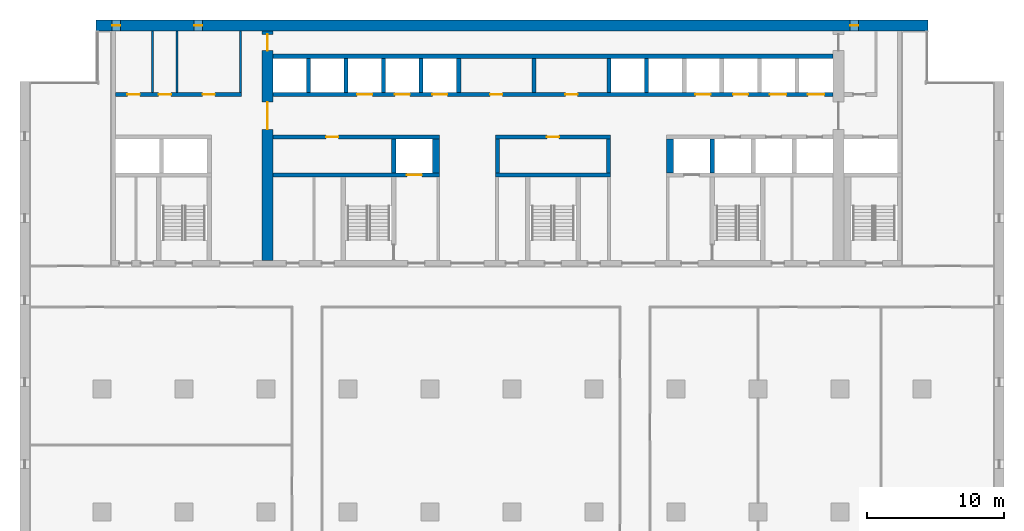
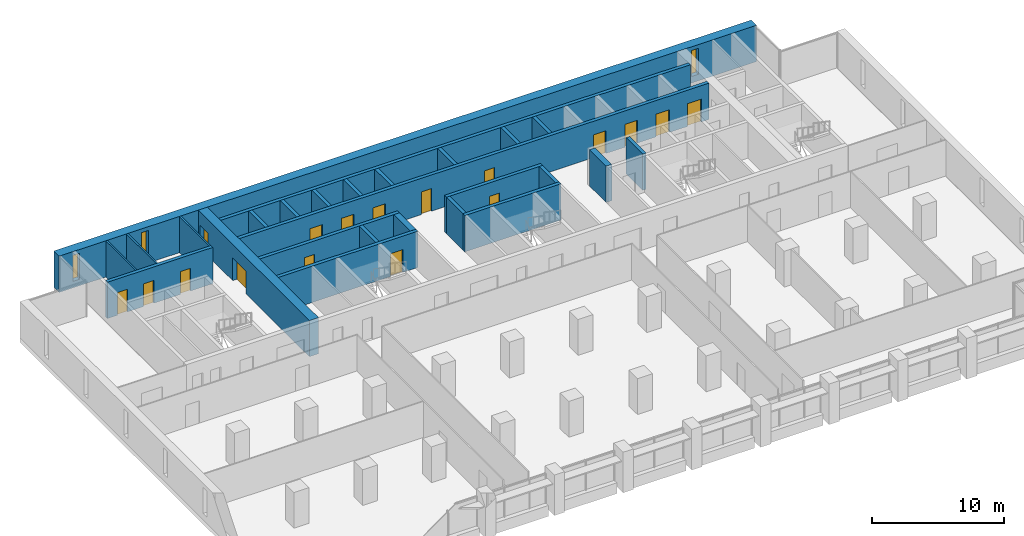
# One storey, part 10 of 15: 26 walls, 17 doors, 3 windows, 20 openings.
"""IFC4 building model written with IfcOpenShell, lengths in metres."""

import ifcopenshell
import ifcopenshell.guid

model = None  # the IFC model being written
_history = None  # IfcOwnerHistory: only IFC2X3 demands one
_inside = {}  # id of a spatial element -> (the spatial element, [elements in it])
_under = {}  # id of a project, library or spatial element -> (it, [spatial elements below it])
_declared = {}  # id of a project -> (the project, [libraries it declares])
_typed = {}  # id of a type object -> (the type object, [elements of that type])
_made_of = {}  # id of a material, layer set ... -> (it, [elements and type objects made of it])


def new_model(schema):
    """Start an empty IFC model of exactly this schema.

    Asked for "IFC4X3", IfcOpenShell would pick the latest addendum, in which some entities
    have other attributes; the version numbers below select the first issue.
    IFC2X3 requires an IfcOwnerHistory on every rooted entity: one is made here for all.
    """
    global model, _history
    if schema == "IFC4X3":
        model = ifcopenshell.file(schema_version=(4, 3, 0, 0))
    else:
        model = ifcopenshell.file(schema=schema)
    _inside.clear()
    _under.clear()
    _declared.clear()
    _typed.clear()
    _made_of.clear()
    _history = None
    if model.schema == "IFC2X3":
        org = make("IfcOrganization", Name="unknown")
        user = make(
            "IfcPersonAndOrganization",
            ThePerson=make("IfcPerson", FamilyName="unknown"),
            TheOrganization=org,
        )
        app = make(
            "IfcApplication",
            ApplicationDeveloper=org,
            Version="unknown",
            ApplicationFullName="unknown",
            ApplicationIdentifier="unknown",
        )
        _history = make(
            "IfcOwnerHistory",
            OwningUser=user,
            OwningApplication=app,
            ChangeAction="ADDED",
            CreationDate=0,
        )
    return model


def make(cls, **values):
    """One entity of the class cls with the attributes given. An attribute that is None is left unset."""
    return model.create_entity(
        cls, **{name: value for name, value in values.items() if value is not None}
    )


def rooted(cls, **values):
    """An entity with a GlobalId (a new one), such as an element, a storey or a relation."""
    return make(cls, GlobalId=ifcopenshell.guid.new(), OwnerHistory=_history, **values)


def si_unit(unit_type, name, prefix=None):
    """IfcSIUnit, for example si_unit("LENGTHUNIT", "METRE", prefix="MILLI")."""
    return make("IfcSIUnit", UnitType=unit_type, Prefix=prefix, Name=name)


def assignment(units):
    """IfcUnitAssignment: the units of a project."""
    return None if units is None else make("IfcUnitAssignment", Units=units)


def point(xyz):
    """IfcCartesianPoint."""
    return None if xyz is None else make("IfcCartesianPoint", Coordinates=xyz)


def direction(xyz):
    """IfcDirection."""
    return None if xyz is None else make("IfcDirection", DirectionRatios=xyz)


def frame(location, z_axis=None, x_axis=None):
    """IfcAxis2Placement3D, a coordinate frame: its origin and axes. An axis left out is left unset."""
    return make(
        "IfcAxis2Placement3D",
        Location=point(location),
        Axis=direction(z_axis),
        RefDirection=direction(x_axis),
    )


def frame_2d(location, x_axis=None):
    """IfcAxis2Placement2D, a coordinate frame in the plane: its origin and x axis."""
    return make(
        "IfcAxis2Placement2D", Location=point(location), RefDirection=direction(x_axis)
    )


def origin():
    """The frame at (0, 0, 0) with its axes left unset."""
    return frame((0.0, 0.0, 0.0))


def place(relative_to, where):
    """IfcLocalPlacement: puts the frame where relative to a parent placement (None: the world)."""
    return make(
        "IfcLocalPlacement", PlacementRelTo=relative_to, RelativePlacement=where
    )


def context(
    kind, dimensions, precision=None, world=None, true_north=None, identifier=None
):
    """IfcGeometricRepresentationContext, for example the 3D "Model" context."""
    return make(
        "IfcGeometricRepresentationContext",
        ContextIdentifier=identifier,
        ContextType=kind,
        CoordinateSpaceDimension=dimensions,
        Precision=precision,
        WorldCoordinateSystem=world,
        TrueNorth=true_north,
    )


def subcontext(parent, identifier, kind, view, scale=None):
    """IfcGeometricRepresentationSubContext, for example "Body" below "Model"."""
    return make(
        "IfcGeometricRepresentationSubContext",
        ContextIdentifier=identifier,
        ContextType=kind,
        ParentContext=parent,
        TargetScale=scale,
        TargetView=view,
    )


def project(units=None, contexts=None):
    """IfcProject with its units and contexts."""
    return rooted(
        "IfcProject",
        Name="project",
        RepresentationContexts=contexts,
        UnitsInContext=assignment(units),
    )


def spatial(cls, under=None, at=None, **own):
    """A site, building, storey or space (cls), placed at a placement, below another one or the project."""
    s = rooted(cls, ObjectPlacement=at, **own)
    if under is not None:
        _under.setdefault(under.id(), (under, []))[1].append(s)
    return s


def profile(cls, at=None, kind="AREA", **sizes):
    """A parametric profile (cls). Its sizes go by their IFC names, for example OverallWidth=200.0."""
    return make(cls, ProfileType=kind, Position=at, **sizes)


def rectangle(**sizes):
    """IfcRectangleProfileDef."""
    return profile("IfcRectangleProfileDef", **sizes)


def extrude(swept, where, along, depth):
    """IfcExtrudedAreaSolid: the profile swept, set in the frame where, extruded along a direction by depth."""
    return make(
        "IfcExtrudedAreaSolid",
        SweptArea=swept,
        Position=where,
        ExtrudedDirection=direction(along),
        Depth=depth,
    )


def shape(context_of_items, identifier, shape_type, items):
    """IfcShapeRepresentation: the items that make up one representation, for example the "Body"."""
    return make(
        "IfcShapeRepresentation",
        ContextOfItems=context_of_items,
        RepresentationIdentifier=identifier,
        RepresentationType=shape_type,
        Items=items,
    )


def material(Name=None, Category=None):
    """IfcMaterial."""
    return make("IfcMaterial", Name=Name, Category=Category)


def layer(
    of_material, thickness, ventilated=None, Name=None, Category=None, Priority=None
):
    """IfcMaterialLayer: one layer of a wall or slab, of a material (None: an air gap)."""
    return make(
        "IfcMaterialLayer",
        Material=of_material,
        LayerThickness=thickness,
        IsVentilated=ventilated,
        Name=Name,
        Category=Category,
        Priority=Priority,
    )


def layer_set(layers, Name=None):
    """IfcMaterialLayerSet."""
    return make("IfcMaterialLayerSet", MaterialLayers=layers, LayerSetName=Name)


def made_of(thing, what):
    """Note that an element or type object is made of a material, layer set ...; save() writes the relation."""
    if what is not None:
        _made_of.setdefault(what.id(), (what, []))[1].append(thing)
    return thing


def type_object(cls, material=None, **own):
    """A type object (cls), such as IfcWallType, which elements share."""
    return made_of(rooted(cls, **own), material)


def element(
    cls,
    number,
    at=None,
    inside=None,
    cuts=None,
    type_object=None,
    material=None,
    context=None,
    identifier="Body",
    shape_type=None,
    held_by="IfcProductDefinitionShape",
    body=None,
    shapes=None,
    **own,
):
    """One element of the class cls, such as IfcWall. Its Tag is "e" and its number.

    at: its placement. inside: the storey or other place that contains it. cuts: it is an
    opening in that element (IfcRelVoidsElement). A single representation is given by context,
    identifier, shape_type and body (its items); several are given by shapes. held_by: the class
    of the entity that holds the representations. save() writes the other relations.
    """
    e = rooted(cls, Tag="e%d" % number, ObjectPlacement=at, **own)
    if body is not None:
        shapes = [shape(context, identifier, shape_type, body)]
    if shapes is not None:
        e.Representation = make(held_by, Representations=shapes)
    if inside is not None:
        _inside.setdefault(inside.id(), (inside, []))[1].append(e)
    if cuts is not None:
        rooted(
            "IfcRelVoidsElement", RelatingBuildingElement=cuts, RelatedOpeningElement=e
        )
    if type_object is not None:
        _typed.setdefault(type_object.id(), (type_object, []))[1].append(e)
    return made_of(e, material)


def fill(opening, filler):
    """IfcRelFillsElement: the door or window that sits in an opening."""
    return rooted(
        "IfcRelFillsElement",
        RelatingOpeningElement=opening,
        RelatedBuildingElement=filler,
    )


def aggregate(whole, parts):
    """IfcRelAggregates: a whole, such as a stair, and the parts it consists of."""
    return rooted("IfcRelAggregates", RelatingObject=whole, RelatedObjects=parts)


def save(model, path):
    """Write the relations noted so far, then the file.

    IfcRelAggregates (storeys below a building ...), IfcRelContainedInSpatialStructure (elements
    in a storey), IfcRelDefinesByType, IfcRelAssociatesMaterial and IfcRelDeclares: one each for
    every whole, place, type object, material and project.
    """
    for whole, parts in _under.values():
        aggregate(whole, parts)
    for where, things in _inside.values():
        rooted(
            "IfcRelContainedInSpatialStructure",
            RelatedElements=things,
            RelatingStructure=where,
        )
    for kind, things in _typed.values():
        rooted("IfcRelDefinesByType", RelatedObjects=things, RelatingType=kind)
    for what, things in _made_of.values():
        rooted("IfcRelAssociatesMaterial", RelatedObjects=things, RelatingMaterial=what)
    for by, libraries in _declared.values():
        rooted("IfcRelDeclares", RelatingContext=by, RelatedDefinitions=libraries)
    model.write(path)


model = new_model("IFC4")

# Units and contexts
model_context = context("Model", 3, precision=1e-05, world=origin(), true_north=direction((0.0, 1.0)))
body_context = subcontext(model_context, "Body", "Model", "MODEL_VIEW")
ifc_project = project(units=[si_unit("LENGTHUNIT", "METRE"), si_unit("AREAUNIT", "SQUARE_METRE"), si_unit("VOLUMEUNIT", "CUBIC_METRE"), si_unit("PLANEANGLEUNIT", "RADIAN"), si_unit("MASSUNIT", "GRAM", prefix="KILO")], contexts=[model_context])

# Site, building, storey
site_placement = place(None, origin())
site = spatial("IfcSite", under=ifc_project, at=site_placement, CompositionType="ELEMENT")
building_placement = place(site_placement, origin())
building = spatial("IfcBuilding", under=site, at=building_placement, Name="Calvaro Tower", CompositionType="ELEMENT")
storey_placement = place(building_placement, frame((0.0, 0.0, 132.5)))
storey = spatial("IfcBuildingStorey", under=building, at=storey_placement, Name="L33", CompositionType="ELEMENT", Elevation=132.5)

# Walls
ifc_material_1 = material(Name="Blockwork partition", Category="masonry")
ifc_layer_1 = layer(ifc_material_1, 0.14990234375)
ifc_layer_set_1 = layer_set([ifc_layer_1], Name="Blockwork partition")
wall_type_1 = type_object("IfcWallType", Name="Core partition 150 EI 60", PredefinedType="PARTITIONING", material=ifc_layer_set_1)
for number, where, z_axis, x_axis, name in (
    (1, (9.699951171875, 40.699951171875, 0.0), (0.0, 0.0, 1.0), (0.0, 1.0, 0.0), "Core partition"),
    (2, (11.5, 40.699951171875, 0.0), (0.0, 0.0, 1.0), (0.0, 1.0, 0.0), "Core partition"),
):
    element("IfcWall", number, at=place(storey_placement, frame(where, z_axis=z_axis, x_axis=x_axis)), inside=storey, type_object=wall_type_1, Name=name, PredefinedType="PARTITIONING", context=body_context, shape_type="SweptSolid", body=[
        extrude(rectangle(XDim=4.5, YDim=0.14990234375, at=frame_2d((2.25, 0.0))), origin(), (0.0, 0.0, 1.0), 3.35009765625),
    ])
ifc_material_2 = material(Name="Blockwork partition", Category="masonry")
ifc_layer_2 = layer(ifc_material_2, 0.14990234375)
ifc_layer_set_2 = layer_set([ifc_layer_2], Name="Blockwork partition")
wall_type_2 = type_object("IfcWallType", Name="Core partition 150 REI 120", PredefinedType="PARTITIONING", material=ifc_layer_set_2)
wall_1_placement = place(storey_placement, frame((16.125, 40.699951171875, 0.0), z_axis=(0.0, 0.0, 1.0), x_axis=(0.0, 1.0, 0.0)))
element("IfcWall", 3, at=wall_1_placement, inside=storey, type_object=wall_type_2, Name="Core partition", PredefinedType="PARTITIONING", context=body_context, shape_type="SweptSolid", body=[
    extrude(rectangle(XDim=4.5, YDim=0.14990234375, at=frame_2d((2.25, 0.0))), origin(), (0.0, 0.0, 1.0), 3.35009765625),
])

# Wall, openings, doors
ifc_material_3 = material(Name="Blockwork partition", Category="masonry")
ifc_layer_3 = layer(ifc_material_3, 0.300048828125)
ifc_layer_set_3 = layer_set([ifc_layer_3], Name="Blockwork partition")
wall_type_3 = type_object("IfcWallType", Name="Core partition 300 REI 120", PredefinedType="PARTITIONING", material=ifc_layer_set_3)
wall_2_placement = place(storey_placement, frame((7.0, 40.550048828125, 0.0), z_axis=(0.0, 0.0, 1.0), x_axis=(1.0, 0.0, 0.0)))
wall_2 = element("IfcWall", 4, at=wall_2_placement, inside=storey, type_object=wall_type_3, Name="Core partition", PredefinedType="PARTITIONING", context=body_context, shape_type="SweptSolid", body=[
    extrude(rectangle(XDim=9.199951171875, YDim=0.300048828125, at=frame_2d((4.60009765625, 0.0))), origin(), (0.0, 0.0, 1.0), 3.35009765625),
])
opening_1_placement = place(wall_2_placement, frame((0.862548828125, 0.0, 0.0)))
opening_1 = element("IfcOpeningElement", 5, at=opening_1_placement, cuts=wall_2, Name="Opening RD9", PredefinedType="OPENING", context=body_context, shape_type="SweptSolid", body=[
    extrude(rectangle(XDim=0.89990234375, YDim=2.10009765625, at=frame_2d((0.449951171875, 1.050048828125))), frame((0.0, 0.159912109375, 0.0), z_axis=(0.0, -1.0, 0.0), x_axis=(1.0, 0.0, 0.0)), (0.0, 0.0, 1.0), 0.320068359375),
])
opening_2_placement = place(wall_2_placement, frame((3.14990234375, 0.0, 0.0)))
opening_2 = element("IfcOpeningElement", 6, at=opening_2_placement, cuts=wall_2, Name="Opening RD9", PredefinedType="OPENING", context=body_context, shape_type="SweptSolid", body=[
    extrude(rectangle(XDim=0.89990234375, YDim=2.10009765625, at=frame_2d((0.449951171875, 1.050048828125))), frame((0.0, 0.159912109375, 0.0), z_axis=(0.0, -1.0, 0.0), x_axis=(1.0, 0.0, 0.0)), (0.0, 0.0, 1.0), 0.320068359375),
])
opening_3_placement = place(wall_2_placement, frame((6.362548828125, 0.0, 0.0)))
opening_3 = element("IfcOpeningElement", 7, at=opening_3_placement, cuts=wall_2, Name="Opening RD9", PredefinedType="OPENING", context=body_context, shape_type="SweptSolid", body=[
    extrude(rectangle(XDim=0.89990234375, YDim=2.10009765625, at=frame_2d((0.449951171875, 1.050048828125))), frame((0.0, 0.159912109375, 0.0), z_axis=(0.0, -1.0, 0.0), x_axis=(1.0, 0.0, 0.0)), (0.0, 0.0, 1.0), 0.320068359375),
])
ifc_material_4 = material(Name="Steel door set", Category="steel")
door_type_1 = type_object("IfcDoorType", Name="Room door 900", OperationType="SINGLE_SWING_LEFT", PredefinedType="DOOR", material=ifc_material_4)
door_1_placement = place(opening_1_placement, origin())
door_1 = element("IfcDoor", 8, at=door_1_placement, inside=storey, type_object=door_type_1, Name="Room door", OperationType="SINGLE_SWING_LEFT", OverallHeight=2.10009765625, OverallWidth=0.89990234375, PredefinedType="DOOR", context=body_context, shape_type="SweptSolid", body=[
    extrude(rectangle(XDim=0.89990234375, YDim=2.10009765625, at=frame_2d((0.449951171875, 1.050048828125))), frame((0.0, 0.02490234375, 0.0), z_axis=(0.0, -1.0, 0.0), x_axis=(1.0, 0.0, 0.0)), (0.0, 0.0, 1.0), 0.050048828125),
])
fill(opening_1, door_1)
door_2_placement = place(opening_2_placement, origin())
door_2 = element("IfcDoor", 9, at=door_2_placement, inside=storey, type_object=door_type_1, Name="Room door", OperationType="SINGLE_SWING_LEFT", OverallHeight=2.10009765625, OverallWidth=0.89990234375, PredefinedType="DOOR", context=body_context, shape_type="SweptSolid", body=[
    extrude(rectangle(XDim=0.89990234375, YDim=2.10009765625, at=frame_2d((0.449951171875, 1.050048828125))), frame((0.0, 0.02490234375, 0.0), z_axis=(0.0, -1.0, 0.0), x_axis=(1.0, 0.0, 0.0)), (0.0, 0.0, 1.0), 0.050048828125),
])
fill(opening_2, door_2)
door_3_placement = place(opening_3_placement, origin())
door_3 = element("IfcDoor", 10, at=door_3_placement, inside=storey, type_object=door_type_1, Name="Room door", OperationType="SINGLE_SWING_LEFT", OverallHeight=2.10009765625, OverallWidth=0.89990234375, PredefinedType="DOOR", context=body_context, shape_type="SweptSolid", body=[
    extrude(rectangle(XDim=0.89990234375, YDim=2.10009765625, at=frame_2d((0.449951171875, 1.050048828125))), frame((0.0, 0.02490234375, 0.0), z_axis=(0.0, -1.0, 0.0), x_axis=(1.0, 0.0, 0.0)), (0.0, 0.0, 1.0), 0.050048828125),
])
fill(opening_3, door_3)

# Wall
wall_3_placement = place(storey_placement, frame((37.60009765625, 40.699951171875, 0.0), z_axis=(0.0, 0.0, 1.0), x_axis=(0.0, 1.0, 0.0)))
element("IfcWall", 11, at=wall_3_placement, inside=storey, type_object=wall_type_3, Name="Core partition", PredefinedType="PARTITIONING", context=body_context, shape_type="SweptSolid", body=[
    extrude(rectangle(XDim=2.5, YDim=0.300048828125, at=frame_2d((1.25, 0.0))), origin(), (0.0, 0.0, 1.0), 3.35009765625),
])

# Wall, opening, door
ifc_material_5 = material(Name="Concrete C60/75", Category="concrete")
ifc_layer_4 = layer(ifc_material_5, 0.300048828125)
ifc_layer_set_4 = layer_set([ifc_layer_4], Name="Concrete C60/75")
wall_type_4 = type_object("IfcWallType", Name="Core wall C60/75 300", PredefinedType="SHEAR", material=ifc_layer_set_4)
wall_4_placement = place(storey_placement, frame((18.5, 34.64990234375, 0.0), z_axis=(0.0, 0.0, 1.0), x_axis=(1.0, 0.0, 0.0)))
wall_4 = element("IfcWall", 12, at=wall_4_placement, inside=storey, type_object=wall_type_4, Name="Core wall, lift shaft", PredefinedType="SHEAR", context=body_context, shape_type="SweptSolid", body=[
    extrude(rectangle(XDim=12.199951171875, YDim=0.300048828125, at=frame_2d((6.10009765625, 0.0))), origin(), (0.0, 0.0, 1.0), 3.35009765625),
])
opening_4_placement = place(wall_4_placement, frame((9.800048828125, 0.0, 0.0)))
opening_4 = element("IfcOpeningElement", 13, at=opening_4_placement, cuts=wall_4, Name="Opening FF1", PredefinedType="OPENING", context=body_context, shape_type="SweptSolid", body=[
    extrude(rectangle(XDim=1.10009765625, YDim=2.10009765625, at=frame_2d((0.550048828125, 1.050048828125))), frame((0.0, 0.159912109375, 0.0), z_axis=(0.0, -1.0, 0.0), x_axis=(1.0, 0.0, 0.0)), (0.0, 0.0, 1.0), 0.320068359375),
])
ifc_material_6 = material(Name="Stainless steel", Category="steel")
door_type_2 = type_object("IfcDoorType", Name="Landing door 1100 E 60", OperationType="SLIDING_TO_LEFT", PredefinedType="DOOR", material=ifc_material_6)
door_4_placement = place(opening_4_placement, origin())
door_4 = element("IfcDoor", 14, at=door_4_placement, inside=storey, type_object=door_type_2, Name="Landing door FF1", OperationType="SLIDING_TO_LEFT", OverallHeight=2.10009765625, OverallWidth=1.10009765625, PredefinedType="DOOR", context=body_context, shape_type="SweptSolid", body=[
    extrude(rectangle(XDim=1.10009765625, YDim=2.10009765625, at=frame_2d((0.550048828125, 1.050048828125))), frame((0.0, 0.02490234375, 0.0), z_axis=(0.0, -1.0, 0.0), x_axis=(1.0, 0.0, 0.0)), (0.0, 0.0, 1.0), 0.050048828125),
])
fill(opening_4, door_4)

# Wall
wall_5_placement = place(storey_placement, frame((34.800048828125, 34.64990234375, 0.0), z_axis=(0.0, 0.0, 1.0), x_axis=(1.0, 0.0, 0.0)))
element("IfcWall", 15, at=wall_5_placement, inside=storey, type_object=wall_type_4, Name="Core wall, lift shaft", PredefinedType="SHEAR", context=body_context, shape_type="SweptSolid", body=[
    extrude(rectangle(XDim=8.39990234375, YDim=0.300048828125, at=frame_2d((4.199951171875, 0.0))), origin(), (0.0, 0.0, 1.0), 3.35009765625),
])

# Wall, opening, door
wall_6_placement = place(storey_placement, frame((30.699951171875, 37.449951171875, 0.0), z_axis=(0.0, 0.0, 1.0), x_axis=(-1.0, 0.0, 0.0)))
wall_6 = element("IfcWall", 16, at=wall_6_placement, inside=storey, type_object=wall_type_4, Name="Core wall, bay", PredefinedType="SHEAR", context=body_context, shape_type="SweptSolid", body=[
    extrude(rectangle(XDim=12.199951171875, YDim=0.300048828125, at=frame_2d((6.10009765625, 0.0))), origin(), (0.0, 0.0, 1.0), 3.35009765625),
])
opening_5_placement = place(wall_6_placement, frame((7.39990234375, 0.0, 0.0)))
opening_5 = element("IfcOpeningElement", 17, at=opening_5_placement, cuts=wall_6, Name="Opening RD9E", PredefinedType="OPENING", context=body_context, shape_type="SweptSolid", body=[
    extrude(rectangle(XDim=0.89990234375, YDim=2.10009765625, at=frame_2d((0.449951171875, 1.050048828125))), frame((0.0, 0.159912109375, 0.0), z_axis=(0.0, -1.0, 0.0), x_axis=(1.0, 0.0, 0.0)), (0.0, 0.0, 1.0), 0.320068359375),
])
ifc_material_7 = material(Name="Steel door set", Category="steel")
door_type_3 = type_object("IfcDoorType", Name="Room door 900 FD60", OperationType="SINGLE_SWING_LEFT", PredefinedType="DOOR", material=ifc_material_7)
door_5_placement = place(opening_5_placement, origin())
door_5 = element("IfcDoor", 18, at=door_5_placement, inside=storey, type_object=door_type_3, Name="Room door", OperationType="SINGLE_SWING_LEFT", OverallHeight=2.10009765625, OverallWidth=0.89990234375, PredefinedType="DOOR", context=body_context, shape_type="SweptSolid", body=[
    extrude(rectangle(XDim=0.89990234375, YDim=2.10009765625, at=frame_2d((0.449951171875, 1.050048828125))), frame((0.0, 0.02490234375, 0.0), z_axis=(0.0, -1.0, 0.0), x_axis=(1.0, 0.0, 0.0)), (0.0, 0.0, 1.0), 0.050048828125),
])
fill(opening_5, door_5)

wall_7_placement = place(storey_placement, frame((43.199951171875, 37.449951171875, 0.0), z_axis=(0.0, 0.0, 1.0), x_axis=(-1.0, 0.0, 0.0)))
wall_7 = element("IfcWall", 19, at=wall_7_placement, inside=storey, type_object=wall_type_4, Name="Core wall, bay", PredefinedType="SHEAR", context=body_context, shape_type="SweptSolid", body=[
    extrude(rectangle(XDim=8.39990234375, YDim=0.300048828125, at=frame_2d((4.199951171875, 0.0))), origin(), (0.0, 0.0, 1.0), 3.35009765625),
])
opening_6_placement = place(wall_7_placement, frame((3.75, 0.0, 0.0)))
opening_6 = element("IfcOpeningElement", 20, at=opening_6_placement, cuts=wall_7, Name="Opening RD9E", PredefinedType="OPENING", context=body_context, shape_type="SweptSolid", body=[
    extrude(rectangle(XDim=0.89990234375, YDim=2.10009765625, at=frame_2d((0.449951171875, 1.050048828125))), frame((0.0, 0.159912109375, 0.0), z_axis=(0.0, -1.0, 0.0), x_axis=(1.0, 0.0, 0.0)), (0.0, 0.0, 1.0), 0.320068359375),
])
door_6_placement = place(opening_6_placement, origin())
door_6 = element("IfcDoor", 21, at=door_6_placement, inside=storey, type_object=door_type_3, Name="Room door", OperationType="SINGLE_SWING_RIGHT", OverallHeight=2.10009765625, OverallWidth=0.89990234375, PredefinedType="DOOR", context=body_context, shape_type="SweptSolid", body=[
    extrude(rectangle(XDim=0.89990234375, YDim=2.10009765625, at=frame_2d((0.449951171875, 1.050048828125))), frame((0.0, 0.02490234375, 0.0), z_axis=(0.0, -1.0, 0.0), x_axis=(1.0, 0.0, 0.0)), (0.0, 0.0, 1.0), 0.050048828125),
])
fill(opening_6, door_6)

# Walls
for number, where, z_axis, x_axis, name in (
    (22, (27.35009765625, 34.800048828125, 0.0), (0.0, 0.0, 1.0), (0.0, 1.0, 0.0), "Core wall, lift shaft"),
    (23, (34.949951171875, 34.800048828125, 0.0), (0.0, 0.0, 1.0), (0.0, 1.0, 0.0), "Core wall, lift shaft"),
    (24, (43.050048828125, 34.800048828125, 0.0), (0.0, 0.0, 1.0), (0.0, 1.0, 0.0), "Core wall, lift shaft"),
    (25, (50.64990234375, 34.800048828125, 0.0), (0.0, 0.0, 1.0), (0.0, 1.0, 0.0), "Core wall, lift shaft"),
):
    element("IfcWall", number, at=place(storey_placement, frame(where, z_axis=z_axis, x_axis=x_axis)), inside=storey, type_object=wall_type_4, Name=name, PredefinedType="SHEAR", context=body_context, shape_type="SweptSolid", body=[
        extrude(rectangle(XDim=2.5, YDim=0.300048828125, at=frame_2d((1.25, 0.0))), origin(), (0.0, 0.0, 1.0), 3.35009765625),
    ])

# Wall, openings, doors
wall_8_placement = place(storey_placement, frame((18.5, 40.550048828125, 0.0), z_axis=(0.0, 0.0, 1.0), x_axis=(1.0, 0.0, 0.0)))
wall_8 = element("IfcWall", 26, at=wall_8_placement, inside=storey, type_object=wall_type_4, Name="Core wall, bay", PredefinedType="SHEAR", context=body_context, shape_type="SweptSolid", body=[
    extrude(rectangle(XDim=41.0, YDim=0.300048828125, at=frame_2d((20.5, 0.0))), origin(), (0.0, 0.0, 1.0), 3.35009765625),
])
opening_7_placement = place(wall_8_placement, frame((15.89990234375, 0.0, 0.0)))
opening_7 = element("IfcOpeningElement", 27, at=opening_7_placement, cuts=wall_8, Name="Opening RD9E", PredefinedType="OPENING", context=body_context, shape_type="SweptSolid", body=[
    extrude(rectangle(XDim=0.89990234375, YDim=2.10009765625, at=frame_2d((0.449951171875, 1.050048828125))), frame((0.0, 0.159912109375, 0.0), z_axis=(0.0, -1.0, 0.0), x_axis=(1.0, 0.0, 0.0)), (0.0, 0.0, 1.0), 0.320068359375),
])
opening_8_placement = place(wall_8_placement, frame((21.39990234375, 0.0, 0.0)))
opening_8 = element("IfcOpeningElement", 28, at=opening_8_placement, cuts=wall_8, Name="Opening RD9E", PredefinedType="OPENING", context=body_context, shape_type="SweptSolid", body=[
    extrude(rectangle(XDim=0.89990234375, YDim=2.10009765625, at=frame_2d((0.449951171875, 1.050048828125))), frame((0.0, 0.159912109375, 0.0), z_axis=(0.0, -1.0, 0.0), x_axis=(1.0, 0.0, 0.0)), (0.0, 0.0, 1.0), 0.320068359375),
])
opening_9_placement = place(wall_8_placement, frame((6.175048828125, 0.0, 0.0)))
opening_9 = element("IfcOpeningElement", 29, at=opening_9_placement, cuts=wall_8, Name="Opening MR4", PredefinedType="OPENING", context=body_context, shape_type="SweptSolid", body=[
    extrude(rectangle(XDim=1.10009765625, YDim=2.10009765625, at=frame_2d((0.550048828125, 1.050048828125))), frame((0.0, 0.159912109375, 0.0), z_axis=(0.0, -1.0, 0.0), x_axis=(1.0, 0.0, 0.0)), (0.0, 0.0, 1.0), 0.320068359375),
])
opening_10_placement = place(wall_8_placement, frame((8.925048828125, 0.0, 0.0)))
opening_10 = element("IfcOpeningElement", 30, at=opening_10_placement, cuts=wall_8, Name="Opening MR5", PredefinedType="OPENING", context=body_context, shape_type="SweptSolid", body=[
    extrude(rectangle(XDim=1.10009765625, YDim=2.10009765625, at=frame_2d((0.550048828125, 1.050048828125))), frame((0.0, 0.159912109375, 0.0), z_axis=(0.0, -1.0, 0.0), x_axis=(1.0, 0.0, 0.0)), (0.0, 0.0, 1.0), 0.320068359375),
])
opening_11_placement = place(wall_8_placement, frame((11.675048828125, 0.0, 0.0)))
opening_11 = element("IfcOpeningElement", 31, at=opening_11_placement, cuts=wall_8, Name="Opening MR6", PredefinedType="OPENING", context=body_context, shape_type="SweptSolid", body=[
    extrude(rectangle(XDim=1.10009765625, YDim=2.10009765625, at=frame_2d((0.550048828125, 1.050048828125))), frame((0.0, 0.159912109375, 0.0), z_axis=(0.0, -1.0, 0.0), x_axis=(1.0, 0.0, 0.0)), (0.0, 0.0, 1.0), 0.320068359375),
])
opening_12_placement = place(wall_8_placement, frame((30.925048828125, 0.0, 0.0)))
opening_12 = element("IfcOpeningElement", 32, at=opening_12_placement, cuts=wall_8, Name="Opening MR7", PredefinedType="OPENING", context=body_context, shape_type="SweptSolid", body=[
    extrude(rectangle(XDim=1.10009765625, YDim=2.10009765625, at=frame_2d((0.550048828125, 1.050048828125))), frame((0.0, 0.159912109375, 0.0), z_axis=(0.0, -1.0, 0.0), x_axis=(1.0, 0.0, 0.0)), (0.0, 0.0, 1.0), 0.320068359375),
])
opening_13_placement = place(wall_8_placement, frame((33.675048828125, 0.0, 0.0)))
opening_13 = element("IfcOpeningElement", 33, at=opening_13_placement, cuts=wall_8, Name="Opening MR8", PredefinedType="OPENING", context=body_context, shape_type="SweptSolid", body=[
    extrude(rectangle(XDim=1.10009765625, YDim=2.10009765625, at=frame_2d((0.550048828125, 1.050048828125))), frame((0.0, 0.159912109375, 0.0), z_axis=(0.0, -1.0, 0.0), x_axis=(1.0, 0.0, 0.0)), (0.0, 0.0, 1.0), 0.320068359375),
])
opening_14_placement = place(wall_8_placement, frame((36.375, 0.0, 0.0)))
opening_14 = element("IfcOpeningElement", 34, at=opening_14_placement, cuts=wall_8, Name="Opening SV1", PredefinedType="OPENING", context=body_context, shape_type="SweptSolid", body=[
    extrude(rectangle(XDim=1.199951171875, YDim=2.10009765625, at=frame_2d((0.60009765625, 1.050048828125))), frame((0.0, 0.159912109375, 0.0), z_axis=(0.0, -1.0, 0.0), x_axis=(1.0, 0.0, 0.0)), (0.0, 0.0, 1.0), 0.320068359375),
])
opening_15_placement = place(wall_8_placement, frame((39.14990234375, 0.0, 0.0)))
opening_15 = element("IfcOpeningElement", 35, at=opening_15_placement, cuts=wall_8, Name="Opening SV2", PredefinedType="OPENING", context=body_context, shape_type="SweptSolid", body=[
    extrude(rectangle(XDim=1.199951171875, YDim=2.10009765625, at=frame_2d((0.60009765625, 1.050048828125))), frame((0.0, 0.159912109375, 0.0), z_axis=(0.0, -1.0, 0.0), x_axis=(1.0, 0.0, 0.0)), (0.0, 0.0, 1.0), 0.320068359375),
])
door_7_placement = place(opening_9_placement, origin())
door_7 = element("IfcDoor", 36, at=door_7_placement, inside=storey, type_object=door_type_2, Name="Landing door MR4", OperationType="SLIDING_TO_LEFT", OverallHeight=2.10009765625, OverallWidth=1.10009765625, PredefinedType="DOOR", context=body_context, shape_type="SweptSolid", body=[
    extrude(rectangle(XDim=1.10009765625, YDim=2.10009765625, at=frame_2d((0.550048828125, 1.050048828125))), frame((0.0, 0.02490234375, 0.0), z_axis=(0.0, -1.0, 0.0), x_axis=(1.0, 0.0, 0.0)), (0.0, 0.0, 1.0), 0.050048828125),
])
fill(opening_9, door_7)
door_8_placement = place(opening_10_placement, origin())
door_8 = element("IfcDoor", 37, at=door_8_placement, inside=storey, type_object=door_type_2, Name="Landing door MR5", OperationType="SLIDING_TO_LEFT", OverallHeight=2.10009765625, OverallWidth=1.10009765625, PredefinedType="DOOR", context=body_context, shape_type="SweptSolid", body=[
    extrude(rectangle(XDim=1.10009765625, YDim=2.10009765625, at=frame_2d((0.550048828125, 1.050048828125))), frame((0.0, 0.02490234375, 0.0), z_axis=(0.0, -1.0, 0.0), x_axis=(1.0, 0.0, 0.0)), (0.0, 0.0, 1.0), 0.050048828125),
])
fill(opening_10, door_8)
door_9_placement = place(opening_11_placement, origin())
door_9 = element("IfcDoor", 38, at=door_9_placement, inside=storey, type_object=door_type_2, Name="Landing door MR6", OperationType="SLIDING_TO_LEFT", OverallHeight=2.10009765625, OverallWidth=1.10009765625, PredefinedType="DOOR", context=body_context, shape_type="SweptSolid", body=[
    extrude(rectangle(XDim=1.10009765625, YDim=2.10009765625, at=frame_2d((0.550048828125, 1.050048828125))), frame((0.0, 0.02490234375, 0.0), z_axis=(0.0, -1.0, 0.0), x_axis=(1.0, 0.0, 0.0)), (0.0, 0.0, 1.0), 0.050048828125),
])
fill(opening_11, door_9)
door_10_placement = place(opening_12_placement, origin())
door_10 = element("IfcDoor", 39, at=door_10_placement, inside=storey, type_object=door_type_2, Name="Landing door MR7", OperationType="SLIDING_TO_LEFT", OverallHeight=2.10009765625, OverallWidth=1.10009765625, PredefinedType="DOOR", context=body_context, shape_type="SweptSolid", body=[
    extrude(rectangle(XDim=1.10009765625, YDim=2.10009765625, at=frame_2d((0.550048828125, 1.050048828125))), frame((0.0, 0.02490234375, 0.0), z_axis=(0.0, -1.0, 0.0), x_axis=(1.0, 0.0, 0.0)), (0.0, 0.0, 1.0), 0.050048828125),
])
fill(opening_12, door_10)
door_11_placement = place(opening_13_placement, origin())
door_11 = element("IfcDoor", 40, at=door_11_placement, inside=storey, type_object=door_type_2, Name="Landing door MR8", OperationType="SLIDING_TO_LEFT", OverallHeight=2.10009765625, OverallWidth=1.10009765625, PredefinedType="DOOR", context=body_context, shape_type="SweptSolid", body=[
    extrude(rectangle(XDim=1.10009765625, YDim=2.10009765625, at=frame_2d((0.550048828125, 1.050048828125))), frame((0.0, 0.02490234375, 0.0), z_axis=(0.0, -1.0, 0.0), x_axis=(1.0, 0.0, 0.0)), (0.0, 0.0, 1.0), 0.050048828125),
])
fill(opening_13, door_11)
ifc_material_8 = material(Name="Stainless steel", Category="steel")
door_type_4 = type_object("IfcDoorType", Name="Landing door 1200 E 60", OperationType="SLIDING_TO_LEFT", PredefinedType="DOOR", material=ifc_material_8)
door_12_placement = place(opening_14_placement, origin())
door_12 = element("IfcDoor", 41, at=door_12_placement, inside=storey, type_object=door_type_4, Name="Landing door SV1", OperationType="SLIDING_TO_LEFT", OverallHeight=2.10009765625, OverallWidth=1.199951171875, PredefinedType="DOOR", context=body_context, shape_type="SweptSolid", body=[
    extrude(rectangle(XDim=1.199951171875, YDim=2.10009765625, at=frame_2d((0.60009765625, 1.050048828125))), frame((0.0, 0.02490234375, 0.0), z_axis=(0.0, -1.0, 0.0), x_axis=(1.0, 0.0, 0.0)), (0.0, 0.0, 1.0), 0.050048828125),
])
fill(opening_14, door_12)
door_13_placement = place(opening_15_placement, origin())
door_13 = element("IfcDoor", 42, at=door_13_placement, inside=storey, type_object=door_type_4, Name="Landing door SV2", OperationType="SLIDING_TO_LEFT", OverallHeight=2.10009765625, OverallWidth=1.199951171875, PredefinedType="DOOR", context=body_context, shape_type="SweptSolid", body=[
    extrude(rectangle(XDim=1.199951171875, YDim=2.10009765625, at=frame_2d((0.60009765625, 1.050048828125))), frame((0.0, 0.02490234375, 0.0), z_axis=(0.0, -1.0, 0.0), x_axis=(1.0, 0.0, 0.0)), (0.0, 0.0, 1.0), 0.050048828125),
])
fill(opening_15, door_13)
door_14_placement = place(opening_7_placement, origin())
door_14 = element("IfcDoor", 43, at=door_14_placement, inside=storey, type_object=door_type_3, Name="Room door", OperationType="SINGLE_SWING_LEFT", OverallHeight=2.10009765625, OverallWidth=0.89990234375, PredefinedType="DOOR", context=body_context, shape_type="SweptSolid", body=[
    extrude(rectangle(XDim=0.89990234375, YDim=2.10009765625, at=frame_2d((0.449951171875, 1.050048828125))), frame((0.0, 0.02490234375, 0.0), z_axis=(0.0, -1.0, 0.0), x_axis=(1.0, 0.0, 0.0)), (0.0, 0.0, 1.0), 0.050048828125),
])
fill(opening_7, door_14)
door_15_placement = place(opening_8_placement, origin())
door_15 = element("IfcDoor", 44, at=door_15_placement, inside=storey, type_object=door_type_3, Name="Room door", OperationType="SINGLE_SWING_LEFT", OverallHeight=2.10009765625, OverallWidth=0.89990234375, PredefinedType="DOOR", context=body_context, shape_type="SweptSolid", body=[
    extrude(rectangle(XDim=0.89990234375, YDim=2.10009765625, at=frame_2d((0.449951171875, 1.050048828125))), frame((0.0, 0.02490234375, 0.0), z_axis=(0.0, -1.0, 0.0), x_axis=(1.0, 0.0, 0.0)), (0.0, 0.0, 1.0), 0.050048828125),
])
fill(opening_8, door_15)

# Walls
wall_9_placement = place(storey_placement, frame((18.5, 43.35009765625, 0.0), z_axis=(0.0, 0.0, 1.0), x_axis=(1.0, 0.0, 0.0)))
element("IfcWall", 45, at=wall_9_placement, inside=storey, type_object=wall_type_4, Name="Core wall, lift shaft", PredefinedType="SHEAR", context=body_context, shape_type="SweptSolid", body=[
    extrude(rectangle(XDim=41.0, YDim=0.300048828125, at=frame_2d((20.5, 0.0))), origin(), (0.0, 0.0, 1.0), 3.35009765625),
])
for number, where, z_axis, x_axis, name in (
    (46, (21.10009765625, 40.699951171875, 0.0), (0.0, 0.0, 1.0), (0.0, 1.0, 0.0), "Core wall, lift shaft"),
    (47, (23.85009765625, 40.699951171875, 0.0), (0.0, 0.0, 1.0), (0.0, 1.0, 0.0), "Core wall, lift shaft"),
    (48, (26.60009765625, 40.699951171875, 0.0), (0.0, 0.0, 1.0), (0.0, 1.0, 0.0), "Core wall, lift shaft"),
    (49, (29.35009765625, 40.699951171875, 0.0), (0.0, 0.0, 1.0), (0.0, 1.0, 0.0), "Core wall, lift shaft"),
    (50, (32.10009765625, 40.699951171875, 0.0), (0.0, 0.0, 1.0), (0.0, 1.0, 0.0), "Core wall, lift shaft"),
    (51, (43.10009765625, 40.699951171875, 0.0), (0.0, 0.0, 1.0), (0.0, 1.0, 0.0), "Core wall, lift shaft"),
    (52, (45.85009765625, 40.699951171875, 0.0), (0.0, 0.0, 1.0), (0.0, 1.0, 0.0), "Core wall, lift shaft"),
):
    element("IfcWall", number, at=place(storey_placement, frame(where, z_axis=z_axis, x_axis=x_axis)), inside=storey, type_object=wall_type_4, Name=name, PredefinedType="SHEAR", context=body_context, shape_type="SweptSolid", body=[
        extrude(rectangle(XDim=2.5, YDim=0.300048828125, at=frame_2d((1.25, 0.0))), origin(), (0.0, 0.0, 1.0), 3.35009765625),
    ])
ifc_material_9 = material(Name="Concrete C60/75", Category="concrete")
ifc_layer_5 = layer(ifc_material_9, 0.5)
ifc_layer_set_5 = layer_set([ifc_layer_5], Name="Concrete C60/75")
wall_type_5 = type_object("IfcWallType", Name="Core wall C60/75 500", PredefinedType="SHEAR", material=ifc_layer_set_5)
for number, where, z_axis, x_axis, name in (
    (53, (30.449951171875, 34.800048828125, 0.0), (0.0, 0.0, 1.0), (0.0, 1.0, 0.0), "Core wall, lift shaft"),
    (54, (47.550048828125, 34.800048828125, 0.0), (0.0, 0.0, 1.0), (0.0, 1.0, 0.0), "Core wall, lift shaft"),
):
    element("IfcWall", number, at=place(storey_placement, frame(where, z_axis=z_axis, x_axis=x_axis)), inside=storey, type_object=wall_type_5, Name=name, PredefinedType="SHEAR", context=body_context, shape_type="SweptSolid", body=[
        extrude(rectangle(XDim=2.5, YDim=0.5, at=frame_2d((1.25, 0.0))), origin(), (0.0, 0.0, 1.0), 3.35009765625),
    ])

# Wall, openings, doors
ifc_material_10 = material(Name="Concrete C60/75", Category="concrete")
ifc_layer_6 = layer(ifc_material_10, 0.800048828125)
ifc_layer_set_6 = layer_set([ifc_layer_6], Name="Concrete C60/75")
wall_type_6 = type_object("IfcWallType", Name="Core wall C60/75 800", PredefinedType="SHEAR", material=ifc_layer_set_6)
wall_10_placement = place(storey_placement, frame((18.10009765625, 28.39990234375, 0.0), z_axis=(0.0, 0.0, 1.0), x_axis=(0.0, 1.0, 0.0)))
wall_10 = element("IfcWall", 55, at=wall_10_placement, inside=storey, type_object=wall_type_6, Name="Core wall, cross shear wall", PredefinedType="SHEAR", context=body_context, shape_type="SweptSolid", body=[
    extrude(rectangle(XDim=16.800048828125, YDim=0.800048828125, at=frame_2d((8.39990234375, 0.0))), origin(), (0.0, 0.0, 1.0), 3.35009765625),
])
opening_16_placement = place(wall_10_placement, frame((9.60009765625, 0.0, 0.0)))
opening_16 = element("IfcOpeningElement", 56, at=opening_16_placement, cuts=wall_10, Name="Opening DD20D", PredefinedType="OPENING", context=body_context, shape_type="SweptSolid", body=[
    extrude(rectangle(XDim=2.0, YDim=2.10009765625, at=frame_2d((1.0, 1.050048828125))), frame((0.0, 0.409912109375, 0.0), z_axis=(0.0, -1.0, 0.0), x_axis=(1.0, 0.0, 0.0)), (0.0, 0.0, 1.0), 0.820068359375),
])
opening_17_placement = place(wall_10_placement, frame((15.35009765625, 0.0, 0.0)))
opening_17 = element("IfcOpeningElement", 57, at=opening_17_placement, cuts=wall_10, Name="Opening FD12C", PredefinedType="OPENING", context=body_context, shape_type="SweptSolid", body=[
    extrude(rectangle(XDim=1.199951171875, YDim=2.10009765625, at=frame_2d((0.60009765625, 1.050048828125))), frame((0.0, 0.409912109375, 0.0), z_axis=(0.0, -1.0, 0.0), x_axis=(1.0, 0.0, 0.0)), (0.0, 0.0, 1.0), 0.820068359375),
])
ifc_material_11 = material(Name="Steel door set", Category="steel")
door_type_5 = type_object("IfcDoorType", Name="Fire door 1200 FD30", OperationType="SINGLE_SWING_LEFT", PredefinedType="DOOR", material=ifc_material_11)
door_16_placement = place(opening_17_placement, origin())
door_16 = element("IfcDoor", 58, at=door_16_placement, inside=storey, type_object=door_type_5, Name="Fire door", OperationType="SINGLE_SWING_LEFT", OverallHeight=2.10009765625, OverallWidth=1.199951171875, PredefinedType="DOOR", context=body_context, shape_type="SweptSolid", body=[
    extrude(rectangle(XDim=1.199951171875, YDim=2.10009765625, at=frame_2d((0.60009765625, 1.050048828125))), frame((0.0, 0.02490234375, 0.0), z_axis=(0.0, -1.0, 0.0), x_axis=(1.0, 0.0, 0.0)), (0.0, 0.0, 1.0), 0.050048828125),
])
fill(opening_17, door_16)
ifc_material_12 = material(Name="Steel door set", Category="steel")
door_type_6 = type_object("IfcDoorType", Name="Lobby double door 2000 FD30S", OperationType="DOUBLE_DOOR_SINGLE_SWING", PredefinedType="DOOR", material=ifc_material_12)
door_17_placement = place(opening_16_placement, origin())
door_17 = element("IfcDoor", 59, at=door_17_placement, inside=storey, type_object=door_type_6, Name="Lobby double door", OperationType="DOUBLE_DOOR_SINGLE_SWING", OverallHeight=2.10009765625, OverallWidth=2.0, PredefinedType="DOOR", context=body_context, shape_type="SweptSolid", body=[
    extrude(rectangle(XDim=2.0, YDim=2.10009765625, at=frame_2d((1.0, 1.050048828125))), frame((0.0, 0.02490234375, 0.0), z_axis=(0.0, -1.0, 0.0), x_axis=(1.0, 0.0, 0.0)), (0.0, 0.0, 1.0), 0.050048828125),
])
fill(opening_16, door_17)

# Wall, openings, windows
ifc_material_13 = material(Name="Concrete C60/75", Category="concrete")
ifc_layer_7 = layer(ifc_material_13, 0.800048828125)
ifc_layer_set_7 = layer_set([ifc_layer_7], Name="Concrete C60/75")
wall_type_7 = type_object("IfcWallType", Name="Rear core wall 800 C60/75", PredefinedType="SHEAR", material=ifc_layer_set_7)
wall_11_placement = place(storey_placement, frame((5.550048828125, 45.60009765625, 0.0), z_axis=(0.0, 0.0, 1.0), x_axis=(1.0, 0.0, 0.0)))
wall_11 = element("IfcWall", 60, at=wall_11_placement, inside=storey, type_object=wall_type_7, Name="North core wall", PredefinedType="SHEAR", context=body_context, shape_type="SweptSolid", body=[
    extrude(rectangle(XDim=60.89990234375, YDim=0.800048828125, at=frame_2d((30.449951171875, 0.0))), origin(), (0.0, 0.0, 1.0), 3.35009765625),
])
opening_18_placement = place(wall_11_placement, frame((1.199951171875, 0.0, 0.60009765625)))
opening_18 = element("IfcOpeningElement", 61, at=opening_18_placement, cuts=wall_11, Name="Opening WN01", PredefinedType="OPENING", context=body_context, shape_type="SweptSolid", body=[
    extrude(rectangle(XDim=0.60009765625, YDim=2.39990234375, at=frame_2d((0.300048828125, 1.199951171875))), frame((0.0, 0.409912109375, 0.0), z_axis=(0.0, -1.0, 0.0), x_axis=(1.0, 0.0, 0.0)), (0.0, 0.0, 1.0), 0.820068359375),
])
opening_19_placement = place(wall_11_placement, frame((7.199951171875, 0.0, 0.60009765625)))
opening_19 = element("IfcOpeningElement", 62, at=opening_19_placement, cuts=wall_11, Name="Opening WN02", PredefinedType="OPENING", context=body_context, shape_type="SweptSolid", body=[
    extrude(rectangle(XDim=0.60009765625, YDim=2.39990234375, at=frame_2d((0.300048828125, 1.199951171875))), frame((0.0, 0.409912109375, 0.0), z_axis=(0.0, -1.0, 0.0), x_axis=(1.0, 0.0, 0.0)), (0.0, 0.0, 1.0), 0.820068359375),
])
opening_20_placement = place(wall_11_placement, frame((55.199951171875, 0.0, 0.60009765625)))
opening_20 = element("IfcOpeningElement", 63, at=opening_20_placement, cuts=wall_11, Name="Opening WN10", PredefinedType="OPENING", context=body_context, shape_type="SweptSolid", body=[
    extrude(rectangle(XDim=0.60009765625, YDim=2.39990234375, at=frame_2d((0.300048828125, 1.199951171875))), frame((0.0, 0.409912109375, 0.0), z_axis=(0.0, -1.0, 0.0), x_axis=(1.0, 0.0, 0.0)), (0.0, 0.0, 1.0), 0.820068359375),
])
ifc_material_14 = material(Name="Glass", Category="glass")
window_type = type_object("IfcWindowType", Name="Slit window 600 x 2400", PartitioningType="SINGLE_PANEL", PredefinedType="WINDOW", material=ifc_material_14)
window_1_placement = place(opening_18_placement, origin())
window_1 = element("IfcWindow", 64, at=window_1_placement, inside=storey, type_object=window_type, Name="Window WN01", OverallHeight=2.39990234375, OverallWidth=0.60009765625, PartitioningType="SINGLE_PANEL", PredefinedType="WINDOW", context=body_context, shape_type="SweptSolid", body=[
    extrude(rectangle(XDim=0.60009765625, YDim=2.39990234375, at=frame_2d((0.300048828125, 1.199951171875))), frame((0.0, 0.030029296875, 0.0), z_axis=(0.0, -1.0, 0.0), x_axis=(1.0, 0.0, 0.0)), (0.0, 0.0, 1.0), 0.06005859375),
])
fill(opening_18, window_1)
window_2_placement = place(opening_19_placement, origin())
window_2 = element("IfcWindow", 65, at=window_2_placement, inside=storey, type_object=window_type, Name="Window WN02", OverallHeight=2.39990234375, OverallWidth=0.60009765625, PartitioningType="SINGLE_PANEL", PredefinedType="WINDOW", context=body_context, shape_type="SweptSolid", body=[
    extrude(rectangle(XDim=0.60009765625, YDim=2.39990234375, at=frame_2d((0.300048828125, 1.199951171875))), frame((0.0, 0.030029296875, 0.0), z_axis=(0.0, -1.0, 0.0), x_axis=(1.0, 0.0, 0.0)), (0.0, 0.0, 1.0), 0.06005859375),
])
fill(opening_19, window_2)
window_3_placement = place(opening_20_placement, origin())
window_3 = element("IfcWindow", 66, at=window_3_placement, inside=storey, type_object=window_type, Name="Window WN10", OverallHeight=2.39990234375, OverallWidth=0.60009765625, PartitioningType="SINGLE_PANEL", PredefinedType="WINDOW", context=body_context, shape_type="SweptSolid", body=[
    extrude(rectangle(XDim=0.60009765625, YDim=2.39990234375, at=frame_2d((0.300048828125, 1.199951171875))), frame((0.0, 0.030029296875, 0.0), z_axis=(0.0, -1.0, 0.0), x_axis=(1.0, 0.0, 0.0)), (0.0, 0.0, 1.0), 0.06005859375),
])
fill(opening_20, window_3)

save(model, "model.ifc")
